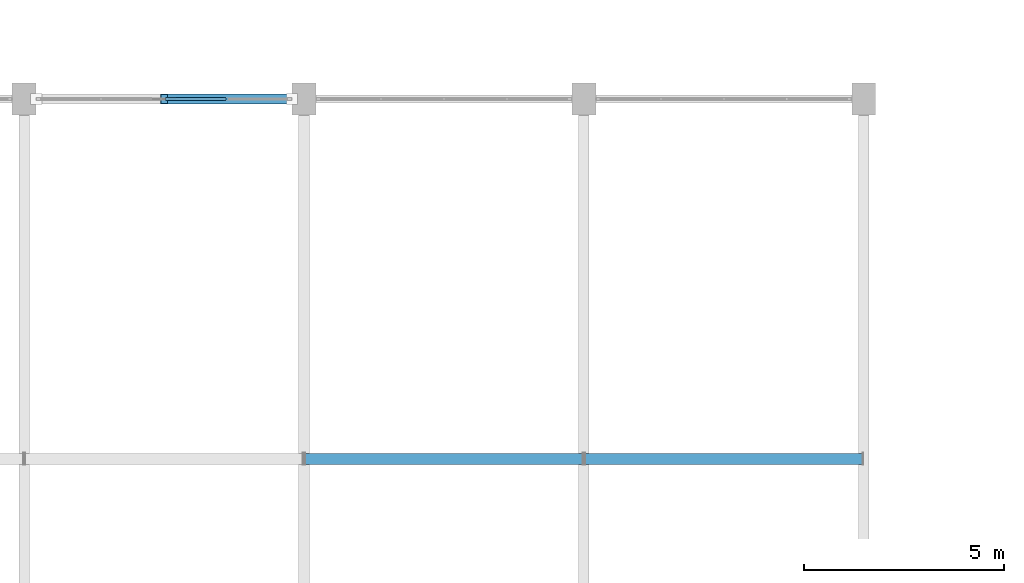
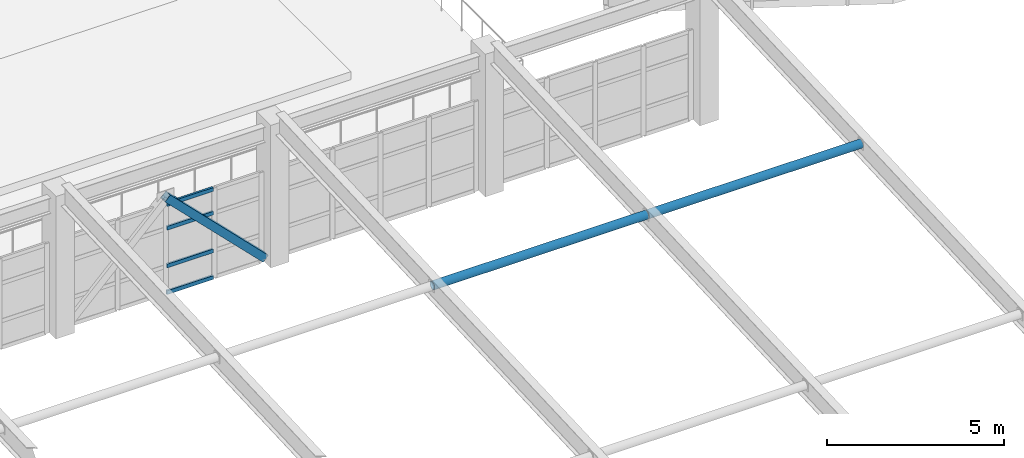
# One storey, part 15 of 150: 7 members, 1 element without a shape of its own.
"""IFC4 building model written with IfcOpenShell, lengths in metres."""

from ifc_helpers import new_model, si_unit, direction, frame, origin, origin_2d, place, context, subcontext, project, spatial, hollow_rectangle, hollow_circle, extrude, material, material_profile, profile_set, type_object, element, aggregate, save


model = new_model("IFC4")

# Units and contexts
model_context = context("Model", 3, precision=1e-05, world=origin(), true_north=direction((0.0, 1.0)))
body_context = subcontext(model_context, "Body", "Model", "MODEL_VIEW")
ifc_project = project(units=[si_unit("LENGTHUNIT", "METRE"), si_unit("AREAUNIT", "SQUARE_METRE"), si_unit("VOLUMEUNIT", "CUBIC_METRE"), si_unit("PLANEANGLEUNIT", "RADIAN"), si_unit("MASSUNIT", "GRAM", prefix="KILO")], contexts=[model_context])

# Site, building, storey
site_placement = place(None, origin())
site = spatial("IfcSite", under=ifc_project, at=site_placement, CompositionType="ELEMENT")
building_placement = place(site_placement, origin())
building = spatial("IfcBuilding", under=site, at=building_placement, Name="Kestramere Prow Commons", CompositionType="ELEMENT")
storey_placement = place(building_placement, frame((0.0, 0.0, 4.5)))
storey = spatial("IfcBuildingStorey", under=building, at=storey_placement, Name="L01", CompositionType="ELEMENT", Elevation=4.5)

# Members
ifc_material_1 = material(Name="Steel S355JR", Category="steel")
ifc_material_profile_1 = material_profile(ifc_material_1, hollow_rectangle(XDim=0.25, YDim=0.25, WallThickness=0.012451171875, at=origin_2d()), Name="SHS 250x250x12.5")
ifc_profile_set_1 = profile_set([ifc_material_profile_1], Name="Steel S355JR")
member_type_1 = type_object("IfcMemberType", Name="BRHL-01 SHS 250x250x12.5", PredefinedType="BRACE", material=ifc_profile_set_1)
member_1_placement = place(storey_placement, frame((36.89990234375, 43.5, 0.14990234375), z_axis=(-0.707079807306, 0.0, 0.707133754038), x_axis=(0.0, -1.0, 0.0)))
element("IfcMember", 1, at=member_1_placement, inside=storey, type_object=member_type_1, Name="Community Hall Flank Diagonal Brace L01-5R", PredefinedType="BRACE", context=body_context, shape_type="SweptSolid", body=[
    extrude(hollow_rectangle(XDim=0.25, YDim=0.25, WallThickness=0.012451171875, at=origin_2d()), origin(), (0.0, 0.0, 1.0), 4.525634765625),
])
ifc_material_profile_2 = material_profile(ifc_material_1, hollow_circle(Radius=0.136474609375, WallThickness=0.012451171875, at=origin_2d()), Name="CHS 273x12.5")
ifc_profile_set_2 = profile_set([ifc_material_profile_2], Name="Steel S355JR")
member_type_2 = type_object("IfcMemberType", Name="BRHL-02 CHS 273x12.5", PredefinedType="BRACE", material=ifc_profile_set_2)
for number, where, z_axis, x_axis, name in (
    (2, (37.2080078125, 34.5, 4.50390625), (1.0, 0.0, 0.0), (0.0, 1.0, 0.0), "Hall Folded-Roof Tie Strut 6-3"),
    (3, (44.2080078125, 34.5, 4.50390625), (1.0, 0.0, 0.0), (0.0, 1.0, 0.0), "Hall Folded-Roof Tie Strut 7-3"),
):
    element("IfcMember", number, at=place(storey_placement, frame(where, z_axis=z_axis, x_axis=x_axis)), inside=storey, type_object=member_type_2, Name=name, PredefinedType="BRACE", context=body_context, shape_type="SweptSolid", body=[
        extrude(hollow_circle(Radius=0.136474609375, WallThickness=0.012451171875, at=origin_2d()), origin(), (0.0, 0.0, 1.0), 6.98388671875),
    ])

# Curtain wall, members
ifc_material_2 = material(Name="Anodised Aluminium and Low-E Glass", Category="aluminium")
curtain_wall_type = type_object("IfcCurtainWallType", Name="CW-12 Glazed Curtain Wall 6300x3100", PredefinedType="USERDEFINED", material=ifc_material_2)
curtain_wall_placement = place(storey_placement, origin())
curtain_wall = element("IfcCurtainWall", 4, at=curtain_wall_placement, inside=storey, type_object=curtain_wall_type, Name="Hall North Clerestory Curtain Wall L01-5", ObjectType="GLAZED CURTAIN WALL", PredefinedType="USERDEFINED")
ifc_material_3 = material(Name="Anodised Aluminium 6063-T6", Category="aluminium")
ifc_material_profile_3 = material_profile(ifc_material_3, hollow_rectangle(XDim=0.06494140625, YDim=0.1298828125, WallThickness=0.00390625, at=origin_2d()), Name="ALU-TRN 65x130")
ifc_profile_set_3 = profile_set([ifc_material_profile_3], Name="Anodised Aluminium 6063-T6")
member_type_3 = type_object("IfcMemberType", Name="CW-TRN-65x130", PredefinedType="USERDEFINED", material=ifc_profile_set_3)
member_2_placement = place(storey_placement, frame((33.732421875, 43.5, 0.032470703125), z_axis=(1.0, 0.0, 0.0), x_axis=(0.0, 1.0, 0.0)))
member_2 = element("IfcMember", 5, at=member_2_placement, type_object=member_type_3, Name="CW-12 transom 3.1", ObjectType="TRANSOM", PredefinedType="USERDEFINED", context=body_context, shape_type="SweptSolid", body=[
    extrude(hollow_rectangle(XDim=0.06494140625, YDim=0.1298828125, WallThickness=0.00390625, at=origin_2d()), origin(), (0.0, 0.0, 1.0), 1.510009765625),
])
member_3_placement = place(storey_placement, frame((33.732421875, 43.5, 0.949951171875), z_axis=(1.0, 0.0, 0.0), x_axis=(0.0, 1.0, 0.0)))
member_3 = element("IfcMember", 6, at=member_3_placement, type_object=member_type_3, Name="CW-12 transom 3.2", ObjectType="TRANSOM", PredefinedType="USERDEFINED", context=body_context, shape_type="SweptSolid", body=[
    extrude(hollow_rectangle(XDim=0.06494140625, YDim=0.1298828125, WallThickness=0.00390625, at=origin_2d()), origin(), (0.0, 0.0, 1.0), 1.510009765625),
])
member_4_placement = place(storey_placement, frame((33.732421875, 43.5, 2.25), z_axis=(1.0, 0.0, 0.0), x_axis=(0.0, 1.0, 0.0)))
member_4 = element("IfcMember", 7, at=member_4_placement, type_object=member_type_3, Name="CW-12 transom 3.3", ObjectType="TRANSOM", PredefinedType="USERDEFINED", context=body_context, shape_type="SweptSolid", body=[
    extrude(hollow_rectangle(XDim=0.06494140625, YDim=0.1298828125, WallThickness=0.00390625, at=origin_2d()), origin(), (0.0, 0.0, 1.0), 1.510009765625),
])
member_5_placement = place(storey_placement, frame((33.732421875, 43.5, 3.0673828125), z_axis=(1.0, 0.0, 0.0), x_axis=(0.0, 1.0, 0.0)))
member_5 = element("IfcMember", 8, at=member_5_placement, type_object=member_type_3, Name="CW-12 transom 3.4", ObjectType="TRANSOM", PredefinedType="USERDEFINED", context=body_context, shape_type="SweptSolid", body=[
    extrude(hollow_rectangle(XDim=0.06494140625, YDim=0.1298828125, WallThickness=0.00390625, at=origin_2d()), origin(), (0.0, 0.0, 1.0), 1.510009765625),
])
aggregate(curtain_wall, [member_2, member_3, member_4, member_5])

save(model, "model.ifc")
